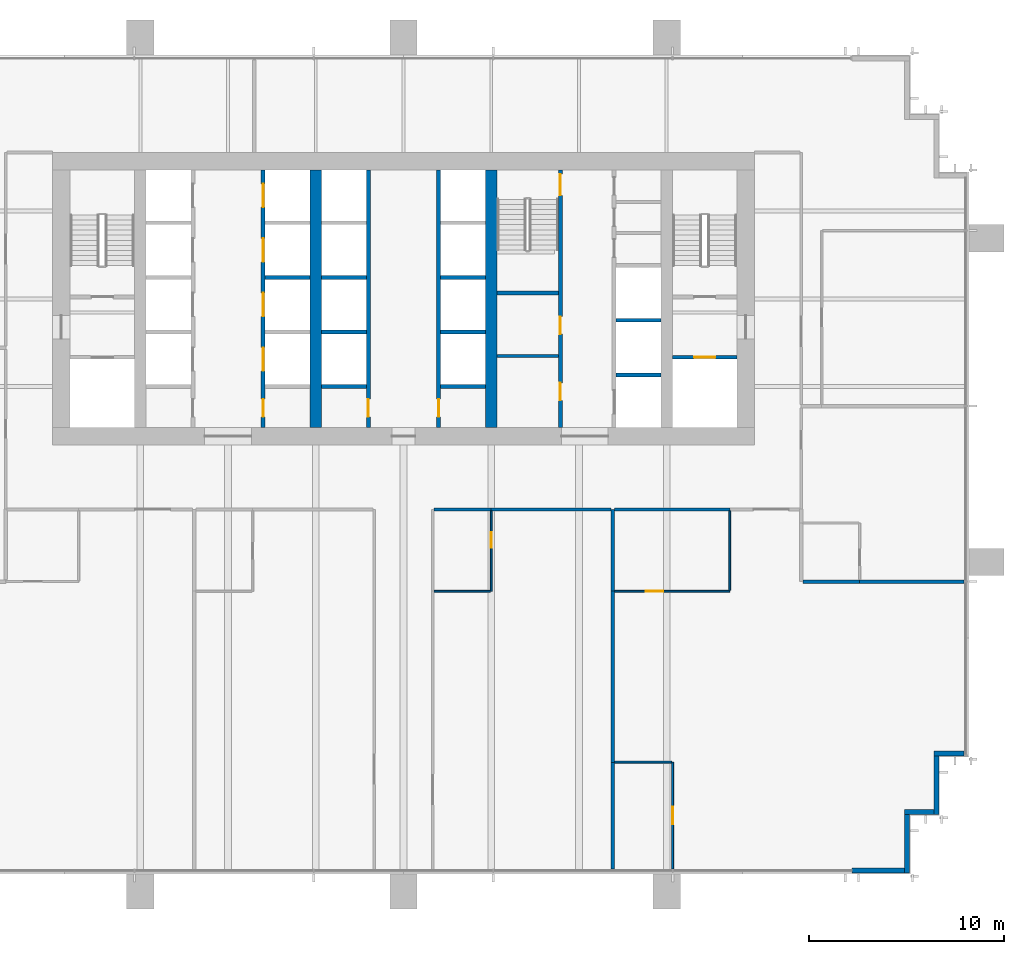
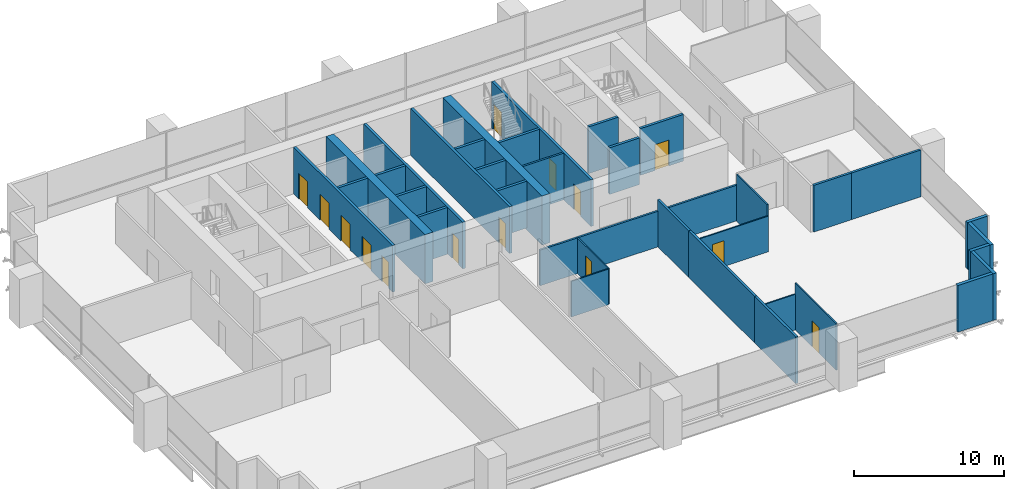
# One storey, part 11 of 14: 37 walls, 14 doors, 14 openings.
"""IFC4 building model written with IfcOpenShell, lengths in metres."""

import ifcopenshell
import ifcopenshell.guid

model = None  # the IFC model being written
_history = None  # IfcOwnerHistory: only IFC2X3 demands one
_inside = {}  # id of a spatial element -> (the spatial element, [elements in it])
_under = {}  # id of a project, library or spatial element -> (it, [spatial elements below it])
_declared = {}  # id of a project -> (the project, [libraries it declares])
_typed = {}  # id of a type object -> (the type object, [elements of that type])
_made_of = {}  # id of a material, layer set ... -> (it, [elements and type objects made of it])


def new_model(schema):
    """Start an empty IFC model of exactly this schema.

    Asked for "IFC4X3", IfcOpenShell would pick the latest addendum, in which some entities
    have other attributes; the version numbers below select the first issue.
    IFC2X3 requires an IfcOwnerHistory on every rooted entity: one is made here for all.
    """
    global model, _history
    if schema == "IFC4X3":
        model = ifcopenshell.file(schema_version=(4, 3, 0, 0))
    else:
        model = ifcopenshell.file(schema=schema)
    _inside.clear()
    _under.clear()
    _declared.clear()
    _typed.clear()
    _made_of.clear()
    _history = None
    if model.schema == "IFC2X3":
        org = make("IfcOrganization", Name="unknown")
        user = make(
            "IfcPersonAndOrganization",
            ThePerson=make("IfcPerson", FamilyName="unknown"),
            TheOrganization=org,
        )
        app = make(
            "IfcApplication",
            ApplicationDeveloper=org,
            Version="unknown",
            ApplicationFullName="unknown",
            ApplicationIdentifier="unknown",
        )
        _history = make(
            "IfcOwnerHistory",
            OwningUser=user,
            OwningApplication=app,
            ChangeAction="ADDED",
            CreationDate=0,
        )
    return model


def make(cls, **values):
    """One entity of the class cls with the attributes given. An attribute that is None is left unset."""
    return model.create_entity(
        cls, **{name: value for name, value in values.items() if value is not None}
    )


def rooted(cls, **values):
    """An entity with a GlobalId (a new one), such as an element, a storey or a relation."""
    return make(cls, GlobalId=ifcopenshell.guid.new(), OwnerHistory=_history, **values)


def si_unit(unit_type, name, prefix=None):
    """IfcSIUnit, for example si_unit("LENGTHUNIT", "METRE", prefix="MILLI")."""
    return make("IfcSIUnit", UnitType=unit_type, Prefix=prefix, Name=name)


def assignment(units):
    """IfcUnitAssignment: the units of a project."""
    return None if units is None else make("IfcUnitAssignment", Units=units)


def point(xyz):
    """IfcCartesianPoint."""
    return None if xyz is None else make("IfcCartesianPoint", Coordinates=xyz)


def direction(xyz):
    """IfcDirection."""
    return None if xyz is None else make("IfcDirection", DirectionRatios=xyz)


def frame(location, z_axis=None, x_axis=None):
    """IfcAxis2Placement3D, a coordinate frame: its origin and axes. An axis left out is left unset."""
    return make(
        "IfcAxis2Placement3D",
        Location=point(location),
        Axis=direction(z_axis),
        RefDirection=direction(x_axis),
    )


def frame_2d(location, x_axis=None):
    """IfcAxis2Placement2D, a coordinate frame in the plane: its origin and x axis."""
    return make(
        "IfcAxis2Placement2D", Location=point(location), RefDirection=direction(x_axis)
    )


def origin():
    """The frame at (0, 0, 0) with its axes left unset."""
    return frame((0.0, 0.0, 0.0))


def place(relative_to, where):
    """IfcLocalPlacement: puts the frame where relative to a parent placement (None: the world)."""
    return make(
        "IfcLocalPlacement", PlacementRelTo=relative_to, RelativePlacement=where
    )


def context(
    kind, dimensions, precision=None, world=None, true_north=None, identifier=None
):
    """IfcGeometricRepresentationContext, for example the 3D "Model" context."""
    return make(
        "IfcGeometricRepresentationContext",
        ContextIdentifier=identifier,
        ContextType=kind,
        CoordinateSpaceDimension=dimensions,
        Precision=precision,
        WorldCoordinateSystem=world,
        TrueNorth=true_north,
    )


def subcontext(parent, identifier, kind, view, scale=None):
    """IfcGeometricRepresentationSubContext, for example "Body" below "Model"."""
    return make(
        "IfcGeometricRepresentationSubContext",
        ContextIdentifier=identifier,
        ContextType=kind,
        ParentContext=parent,
        TargetScale=scale,
        TargetView=view,
    )


def project(units=None, contexts=None):
    """IfcProject with its units and contexts."""
    return rooted(
        "IfcProject",
        Name="project",
        RepresentationContexts=contexts,
        UnitsInContext=assignment(units),
    )


def spatial(cls, under=None, at=None, **own):
    """A site, building, storey or space (cls), placed at a placement, below another one or the project."""
    s = rooted(cls, ObjectPlacement=at, **own)
    if under is not None:
        _under.setdefault(under.id(), (under, []))[1].append(s)
    return s


def profile(cls, at=None, kind="AREA", **sizes):
    """A parametric profile (cls). Its sizes go by their IFC names, for example OverallWidth=200.0."""
    return make(cls, ProfileType=kind, Position=at, **sizes)


def rectangle(**sizes):
    """IfcRectangleProfileDef."""
    return profile("IfcRectangleProfileDef", **sizes)


def extrude(swept, where, along, depth):
    """IfcExtrudedAreaSolid: the profile swept, set in the frame where, extruded along a direction by depth."""
    return make(
        "IfcExtrudedAreaSolid",
        SweptArea=swept,
        Position=where,
        ExtrudedDirection=direction(along),
        Depth=depth,
    )


def shape(context_of_items, identifier, shape_type, items):
    """IfcShapeRepresentation: the items that make up one representation, for example the "Body"."""
    return make(
        "IfcShapeRepresentation",
        ContextOfItems=context_of_items,
        RepresentationIdentifier=identifier,
        RepresentationType=shape_type,
        Items=items,
    )


def material(Name=None, Category=None):
    """IfcMaterial."""
    return make("IfcMaterial", Name=Name, Category=Category)


def layer(
    of_material, thickness, ventilated=None, Name=None, Category=None, Priority=None
):
    """IfcMaterialLayer: one layer of a wall or slab, of a material (None: an air gap)."""
    return make(
        "IfcMaterialLayer",
        Material=of_material,
        LayerThickness=thickness,
        IsVentilated=ventilated,
        Name=Name,
        Category=Category,
        Priority=Priority,
    )


def layer_set(layers, Name=None):
    """IfcMaterialLayerSet."""
    return make("IfcMaterialLayerSet", MaterialLayers=layers, LayerSetName=Name)


def made_of(thing, what):
    """Note that an element or type object is made of a material, layer set ...; save() writes the relation."""
    if what is not None:
        _made_of.setdefault(what.id(), (what, []))[1].append(thing)
    return thing


def type_object(cls, material=None, **own):
    """A type object (cls), such as IfcWallType, which elements share."""
    return made_of(rooted(cls, **own), material)


def element(
    cls,
    number,
    at=None,
    inside=None,
    cuts=None,
    type_object=None,
    material=None,
    context=None,
    identifier="Body",
    shape_type=None,
    held_by="IfcProductDefinitionShape",
    body=None,
    shapes=None,
    **own,
):
    """One element of the class cls, such as IfcWall. Its Tag is "e" and its number.

    at: its placement. inside: the storey or other place that contains it. cuts: it is an
    opening in that element (IfcRelVoidsElement). A single representation is given by context,
    identifier, shape_type and body (its items); several are given by shapes. held_by: the class
    of the entity that holds the representations. save() writes the other relations.
    """
    e = rooted(cls, Tag="e%d" % number, ObjectPlacement=at, **own)
    if body is not None:
        shapes = [shape(context, identifier, shape_type, body)]
    if shapes is not None:
        e.Representation = make(held_by, Representations=shapes)
    if inside is not None:
        _inside.setdefault(inside.id(), (inside, []))[1].append(e)
    if cuts is not None:
        rooted(
            "IfcRelVoidsElement", RelatingBuildingElement=cuts, RelatedOpeningElement=e
        )
    if type_object is not None:
        _typed.setdefault(type_object.id(), (type_object, []))[1].append(e)
    return made_of(e, material)


def fill(opening, filler):
    """IfcRelFillsElement: the door or window that sits in an opening."""
    return rooted(
        "IfcRelFillsElement",
        RelatingOpeningElement=opening,
        RelatedBuildingElement=filler,
    )


def aggregate(whole, parts):
    """IfcRelAggregates: a whole, such as a stair, and the parts it consists of."""
    return rooted("IfcRelAggregates", RelatingObject=whole, RelatedObjects=parts)


def save(model, path):
    """Write the relations noted so far, then the file.

    IfcRelAggregates (storeys below a building ...), IfcRelContainedInSpatialStructure (elements
    in a storey), IfcRelDefinesByType, IfcRelAssociatesMaterial and IfcRelDeclares: one each for
    every whole, place, type object, material and project.
    """
    for whole, parts in _under.values():
        aggregate(whole, parts)
    for where, things in _inside.values():
        rooted(
            "IfcRelContainedInSpatialStructure",
            RelatedElements=things,
            RelatingStructure=where,
        )
    for kind, things in _typed.values():
        rooted("IfcRelDefinesByType", RelatedObjects=things, RelatingType=kind)
    for what, things in _made_of.values():
        rooted("IfcRelAssociatesMaterial", RelatedObjects=things, RelatingMaterial=what)
    for by, libraries in _declared.values():
        rooted("IfcRelDeclares", RelatingContext=by, RelatedDefinitions=libraries)
    model.write(path)


model = new_model("IFC4")

# Units and contexts
model_context = context("Model", 3, precision=1e-05, world=origin(), true_north=direction((0.0, 1.0)))
body_context = subcontext(model_context, "Body", "Model", "MODEL_VIEW")
ifc_project = project(units=[si_unit("LENGTHUNIT", "METRE"), si_unit("AREAUNIT", "SQUARE_METRE"), si_unit("VOLUMEUNIT", "CUBIC_METRE"), si_unit("PLANEANGLEUNIT", "RADIAN"), si_unit("MASSUNIT", "GRAM", prefix="KILO")], contexts=[model_context])

# Site, building, storey
site_placement = place(None, origin())
site = spatial("IfcSite", under=ifc_project, at=site_placement, CompositionType="ELEMENT")
building_placement = place(site_placement, origin())
building = spatial("IfcBuilding", under=site, at=building_placement, Name="Rattan Terrace Tower", CompositionType="ELEMENT")
storey_placement = place(building_placement, frame((0.0, 0.0, 154.10009765625)))
storey = spatial("IfcBuildingStorey", under=building, at=storey_placement, Name="L35", CompositionType="ELEMENT", Elevation=154.10009765625)

# Wall
ifc_material_1 = material(Name="Gypsum board partition")
ifc_layer_1 = layer(ifc_material_1, 0.14990234375)
ifc_layer_set_1 = layer_set([ifc_layer_1], Name="Core partition 150")
wall_type_1 = type_object("IfcWallType", Name="Core partition 150", PredefinedType="PARTITIONING", material=ifc_layer_set_1)
wall_1_placement = place(storey_placement, frame((4.800048828125, -2.927978515625, 0.0), z_axis=(0.0, 0.0, 1.0), x_axis=(1.0, 0.0, 0.0)))
element("IfcWall", 1, at=wall_1_placement, inside=storey, type_object=wall_type_1, Name="Toilet wall", PredefinedType="PARTITIONING", context=body_context, shape_type="SweptSolid", body=[
    extrude(rectangle(XDim=3.14990234375, YDim=0.14990234375, at=frame_2d((1.574951171875, 0.0))), origin(), (0.0, 0.0, 1.0), 3.7998046875),
])

# Wall, opening, door
ifc_material_2 = material(Name="Gypsum board partition")
ifc_layer_2 = layer(ifc_material_2, 0.199951171875)
ifc_layer_set_2 = layer_set([ifc_layer_2], Name="Core partition 200")
wall_type_2 = type_object("IfcWallType", Name="Core partition 200", PredefinedType="PARTITIONING", material=ifc_layer_set_2)
wall_2_placement = place(storey_placement, frame((13.800048828125, -3.0, 0.0), z_axis=(0.0, 0.0, 1.0), x_axis=(1.0, 0.0, 0.0)))
wall_2 = element("IfcWall", 2, at=wall_2_placement, inside=storey, type_object=wall_type_2, Name="Fire-fighting lobby wall", PredefinedType="PARTITIONING", context=body_context, shape_type="SweptSolid", body=[
    extrude(rectangle(XDim=3.300048828125, YDim=0.199951171875, at=frame_2d((1.64990234375, 0.0))), origin(), (0.0, 0.0, 1.0), 3.7998046875),
])
opening_1_placement = place(wall_2_placement, frame((1.10009765625, 0.0, 0.0)))
opening_1 = element("IfcOpeningElement", 3, at=opening_1_placement, cuts=wall_2, Name="Opening L35-LD-FF2", PredefinedType="OPENING", context=body_context, shape_type="SweptSolid", body=[
    extrude(rectangle(XDim=1.10009765625, YDim=2.10009765625, at=frame_2d((0.550048828125, 1.050048828125))), frame((0.0, 0.110595703125, 0.0), z_axis=(0.0, -1.0, 0.0), x_axis=(1.0, 0.0, 0.0)), (0.0, 0.0, 1.0), 0.220947265625),
])
ifc_material_3 = material(Name="Brushed stainless landing door panel")
door_type_1 = type_object("IfcDoorType", Name="Core lift landing door 1100", OperationType="DOUBLE_DOOR_SLIDING", PredefinedType="DOOR", material=ifc_material_3)
door_1_placement = place(opening_1_placement, origin())
door_1 = element("IfcDoor", 4, at=door_1_placement, inside=storey, type_object=door_type_1, Name="Door L35-LD-FF2", OperationType="DOUBLE_DOOR_SLIDING", OverallHeight=2.10009765625, OverallWidth=1.10009765625, PredefinedType="DOOR", context=body_context, shape_type="SweptSolid", body=[
    extrude(rectangle(XDim=1.10009765625, YDim=2.10009765625, at=frame_2d((0.550048828125, 1.050048828125))), frame((0.0, 0.02490234375, 0.0), z_axis=(0.0, -1.0, 0.0), x_axis=(1.0, 0.0, 0.0)), (0.0, 0.0, 1.0), 0.050048828125),
])
fill(opening_1, door_1)

# Wall, openings, doors
wall_3_placement = place(storey_placement, frame((8.050048828125, -6.60009765625, 0.0), z_axis=(0.0, 0.0, 1.0), x_axis=(0.0, 1.0, 0.0)))
wall_3 = element("IfcWall", 5, at=wall_3_placement, inside=storey, type_object=wall_type_2, Name="Lobby wall west", PredefinedType="PARTITIONING", context=body_context, shape_type="SweptSolid", body=[
    extrude(rectangle(XDim=13.2001953125, YDim=0.199951171875, at=frame_2d((6.60009765625, 0.0))), origin(), (0.0, 0.0, 1.0), 3.7998046875),
])
opening_2_placement = place(wall_3_placement, frame((1.385986328125, 0.0, 0.0)))
opening_2 = element("IfcOpeningElement", 6, at=opening_2_placement, cuts=wall_3, Name="Opening L35-D011", PredefinedType="OPENING", context=body_context, shape_type="SweptSolid", body=[
    extrude(rectangle(XDim=0.89990234375, YDim=2.10009765625, at=frame_2d((0.449951171875, 1.050048828125))), frame((0.0, 0.110595703125, 0.0), z_axis=(0.0, -1.0, 0.0), x_axis=(1.0, 0.0, 0.0)), (0.0, 0.0, 1.0), 0.220947265625),
])
opening_3_placement = place(wall_3_placement, frame((4.785888671875, 0.0, 0.0)))
opening_3 = element("IfcOpeningElement", 7, at=opening_3_placement, cuts=wall_3, Name="Opening L35-D012", PredefinedType="OPENING", context=body_context, shape_type="SweptSolid", body=[
    extrude(rectangle(XDim=0.89990234375, YDim=2.10009765625, at=frame_2d((0.449951171875, 1.050048828125))), frame((0.0, 0.110595703125, 0.0), z_axis=(0.0, -1.0, 0.0), x_axis=(1.0, 0.0, 0.0)), (0.0, 0.0, 1.0), 0.220947265625),
])
opening_4_placement = place(wall_3_placement, frame((11.89990234375, 0.0, 0.0)))
opening_4 = element("IfcOpeningElement", 8, at=opening_4_placement, cuts=wall_3, Name="Opening L35-D013", PredefinedType="OPENING", context=body_context, shape_type="SweptSolid", body=[
    extrude(rectangle(XDim=1.10009765625, YDim=2.10009765625, at=frame_2d((0.550048828125, 1.050048828125))), frame((0.0, 0.110595703125, 0.0), z_axis=(0.0, -1.0, 0.0), x_axis=(1.0, 0.0, 0.0)), (0.0, 0.0, 1.0), 0.220947265625),
])
ifc_material_4 = material(Name="Hollow-metal fire door leaf")
door_type_2 = type_object("IfcDoorType", Name="Core stair door 1100", OperationType="NOTDEFINED", PredefinedType="DOOR", material=ifc_material_4)
door_2_placement = place(opening_4_placement, origin())
door_2 = element("IfcDoor", 9, at=door_2_placement, inside=storey, type_object=door_type_2, Name="Door L35-D013", OperationType="SINGLE_SWING_LEFT", OverallHeight=2.10009765625, OverallWidth=1.10009765625, PredefinedType="DOOR", context=body_context, shape_type="SweptSolid", body=[
    extrude(rectangle(XDim=1.10009765625, YDim=2.10009765625, at=frame_2d((0.550048828125, 1.050048828125))), frame((0.0, 0.02490234375, 0.0), z_axis=(0.0, -1.0, 0.0), x_axis=(1.0, 0.0, 0.0)), (0.0, 0.0, 1.0), 0.050048828125),
])
fill(opening_4, door_2)
ifc_material_5 = material(Name="Hollow-metal fire door leaf")
door_type_3 = type_object("IfcDoorType", Name="Core toilet door 900", OperationType="NOTDEFINED", PredefinedType="DOOR", material=ifc_material_5)
door_3_placement = place(opening_2_placement, origin())
door_3 = element("IfcDoor", 10, at=door_3_placement, inside=storey, type_object=door_type_3, Name="Door L35-D011", OperationType="SINGLE_SWING_LEFT", OverallHeight=2.10009765625, OverallWidth=0.89990234375, PredefinedType="DOOR", context=body_context, shape_type="SweptSolid", body=[
    extrude(rectangle(XDim=0.89990234375, YDim=2.10009765625, at=frame_2d((0.449951171875, 1.050048828125))), frame((0.0, 0.02490234375, 0.0), z_axis=(0.0, -1.0, 0.0), x_axis=(1.0, 0.0, 0.0)), (0.0, 0.0, 1.0), 0.050048828125),
])
fill(opening_2, door_3)
door_4_placement = place(opening_3_placement, origin())
door_4 = element("IfcDoor", 11, at=door_4_placement, inside=storey, type_object=door_type_3, Name="Door L35-D012", OperationType="SINGLE_SWING_RIGHT", OverallHeight=2.10009765625, OverallWidth=0.89990234375, PredefinedType="DOOR", context=body_context, shape_type="SweptSolid", body=[
    extrude(rectangle(XDim=0.89990234375, YDim=2.10009765625, at=frame_2d((0.449951171875, 1.050048828125))), frame((0.0, 0.02490234375, 0.0), z_axis=(0.0, -1.0, 0.0), x_axis=(1.0, 0.0, 0.0)), (0.0, 0.0, 1.0), 0.050048828125),
])
fill(opening_3, door_4)

# Walls
wall_4_placement = place(storey_placement, frame((4.800048828125, 0.300048828125, 0.0), z_axis=(0.0, 0.0, 1.0), x_axis=(1.0, 0.0, 0.0)))
element("IfcWall", 12, at=wall_4_placement, inside=storey, type_object=wall_type_2, Name="Stair enclosure wall", PredefinedType="PARTITIONING", context=body_context, shape_type="SweptSolid", body=[
    extrude(rectangle(XDim=3.14990234375, YDim=0.199951171875, at=frame_2d((1.574951171875, 0.0))), origin(), (0.0, 0.0, 1.0), 3.7998046875),
])
ifc_material_6 = material(Name="Concrete C60/75", Category="concrete")
ifc_layer_3 = layer(ifc_material_6, 0.60009765625)
ifc_layer_set_3 = layer_set([ifc_layer_3], Name="Core spine wall 600 C60/75")
wall_type_3 = type_object("IfcWallType", Name="Core spine wall 600 C60/75", PredefinedType="SHEAR", material=ifc_layer_set_3)
for number, where, z_axis, x_axis, name in (
    (13, (-4.5, -6.60009765625, -0.2001953125), (0.0, 0.0, 1.0), (0.0, 1.0, 0.0), "Core spine wall 2"),
    (14, (4.5, -6.60009765625, -0.2001953125), (0.0, 0.0, 1.0), (0.0, 1.0, 0.0), "Core spine wall 3"),
):
    element("IfcWall", number, at=place(storey_placement, frame(where, z_axis=z_axis, x_axis=x_axis)), inside=storey, type_object=wall_type_3, Name=name, PredefinedType="SHEAR", context=body_context, shape_type="SweptSolid", body=[
        extrude(rectangle(XDim=13.2001953125, YDim=0.60009765625, at=frame_2d((6.60009765625, 0.0))), origin(), (0.0, 0.0, 1.0), 4.0),
    ])
ifc_material_7 = material(Name="Insulated aluminium-clad stud wall", Category="aluminium")
ifc_layer_4 = layer(ifc_material_7, 0.25)
ifc_layer_set_4 = layer_set([ifc_layer_4], Name="Facade Riser Wall 250")
wall_type_4 = type_object("IfcWallType", Name="Facade Riser Wall 250", PredefinedType="SOLIDWALL", material=ifc_layer_set_4)
wall_5_placement = place(storey_placement, frame((23.0, -29.330078125, 0.0), z_axis=(0.0, 0.0, 1.0), x_axis=(1.0, 0.0, 0.0)))
element("IfcWall", 15, at=wall_5_placement, inside=storey, type_object=wall_type_4, Name="Riser wall L35-1", PredefinedType="SOLIDWALL", context=body_context, shape_type="SweptSolid", body=[
    extrude(rectangle(XDim=2.705078125, YDim=0.25, at=frame_2d((1.3525390625, 0.0))), origin(), (0.0, 0.0, 1.0), 3.7998046875),
])
wall_6_placement = place(storey_placement, frame((25.830078125, -29.455078125, 0.0), z_axis=(0.0, 0.0, 1.0), x_axis=(0.0, 1.0, 0.0)))
element("IfcWall", 16, at=wall_6_placement, inside=storey, type_object=wall_type_4, Name="Riser wall L35-2", PredefinedType="SOLIDWALL", context=body_context, shape_type="SweptSolid", body=[
    extrude(rectangle(XDim=3.0, YDim=0.25, at=frame_2d((1.5, 0.0))), origin(), (0.0, 0.0, 1.0), 3.7998046875),
])
wall_7_placement = place(storey_placement, frame((25.705078125, -26.330078125, 0.0), z_axis=(0.0, 0.0, 1.0), x_axis=(1.0, 0.0, 0.0)))
element("IfcWall", 17, at=wall_7_placement, inside=storey, type_object=wall_type_4, Name="Riser wall L35-3", PredefinedType="SOLIDWALL", context=body_context, shape_type="SweptSolid", body=[
    extrude(rectangle(XDim=1.5, YDim=0.25, at=frame_2d((0.75, 0.0))), origin(), (0.0, 0.0, 1.0), 3.7998046875),
])
wall_8_placement = place(storey_placement, frame((27.330078125, -26.455078125, 0.0), z_axis=(0.0, 0.0, 1.0), x_axis=(0.0, 1.0, 0.0)))
element("IfcWall", 18, at=wall_8_placement, inside=storey, type_object=wall_type_4, Name="Riser wall L35-4", PredefinedType="SOLIDWALL", context=body_context, shape_type="SweptSolid", body=[
    extrude(rectangle(XDim=3.0, YDim=0.25, at=frame_2d((1.5, 0.0))), origin(), (0.0, 0.0, 1.0), 3.7998046875),
])
wall_9_placement = place(storey_placement, frame((27.205078125, -23.330078125, 0.0), z_axis=(0.0, 0.0, 1.0), x_axis=(1.0, 0.0, 0.0)))
element("IfcWall", 19, at=wall_9_placement, inside=storey, type_object=wall_type_4, Name="Riser wall L35-5", PredefinedType="SOLIDWALL", context=body_context, shape_type="SweptSolid", body=[
    extrude(rectangle(XDim=1.544921875, YDim=0.25, at=frame_2d((0.7724609375, 0.0))), origin(), (0.0, 0.0, 1.0), 3.7998046875),
])
ifc_material_8 = material(Name="Double steel stud acoustic partition, gypsum board, mineral wool, fire rated", Category="steel")
ifc_layer_5 = layer(ifc_material_8, 0.179931640625)
ifc_layer_set_5 = layer_set([ifc_layer_5], Name="Floors Acoustic Party Wall 180")
wall_type_5 = type_object("IfcWallType", Name="Floors Acoustic Party Wall 180", PredefinedType="PARTITIONING", material=ifc_layer_set_5)
wall_10_placement = place(storey_placement, frame((28.739990234375, -14.5, 0.0), z_axis=(0.0, 0.0, 1.0), x_axis=(-1.0, 0.0, 0.0)))
element("IfcWall", 20, at=wall_10_placement, inside=storey, type_object=wall_type_5, Name="pt-L35-027", PredefinedType="PARTITIONING", context=body_context, shape_type="SweptSolid", body=[
    extrude(rectangle(XDim=5.340087890625, YDim=0.179931640625, at=frame_2d((2.669921875, 0.0))), origin(), (0.0, 0.0, 1.0), 3.7998046875),
])
wall_11_placement = place(storey_placement, frame((23.39990234375, -14.5009765625, 0.0), z_axis=(0.0, 0.0, 1.0), x_axis=(-1.0, 0.0, 0.0)))
element("IfcWall", 21, at=wall_11_placement, inside=storey, type_object=wall_type_5, Name="pt-L35-029", PredefinedType="PARTITIONING", context=body_context, shape_type="SweptSolid", body=[
    extrude(rectangle(XDim=2.909912109375, YDim=0.179931640625, at=frame_2d((1.455078125, 0.0))), origin(), (0.0, 0.0, 1.0), 3.7998046875),
])
wall_12_placement = place(storey_placement, frame((10.73291015625, -14.97998046875, 0.0), z_axis=(0.0, 0.0, 1.0), x_axis=(0.0, -1.0, 0.0)))
element("IfcWall", 22, at=wall_12_placement, inside=storey, type_object=wall_type_5, Name="pt-L35-034", PredefinedType="PARTITIONING", context=body_context, shape_type="SweptSolid", body=[
    extrude(rectangle(XDim=8.800048828125, YDim=0.179931640625, at=frame_2d((4.39990234375, 0.0))), origin(), (0.0, 0.0, 1.0), 3.7998046875),
])
wall_13_placement = place(storey_placement, frame((10.73291015625, -23.780029296875, 0.0), z_axis=(0.0, 0.0, 1.0), x_axis=(0.0, -1.0, 0.0)))
element("IfcWall", 23, at=wall_13_placement, inside=storey, type_object=wall_type_5, Name="pt-L35-035", PredefinedType="PARTITIONING", context=body_context, shape_type="SweptSolid", body=[
    extrude(rectangle(XDim=5.4599609375, YDim=0.179931640625, at=frame_2d((2.72998046875, 0.0))), origin(), (0.0, 0.0, 1.0), 3.7998046875),
])
wall_14_placement = place(storey_placement, frame((10.73291015625, -10.800048828125, 0.0), z_axis=(0.0, 0.0, 1.0), x_axis=(0.0, -1.0, 0.0)))
element("IfcWall", 24, at=wall_14_placement, inside=storey, type_object=wall_type_5, Name="pt-L35-036", PredefinedType="PARTITIONING", context=body_context, shape_type="SweptSolid", body=[
    extrude(rectangle(XDim=4.179931640625, YDim=0.179931640625, at=frame_2d((2.08984375, 0.0))), origin(), (0.0, 0.0, 1.0), 3.7998046875),
])
ifc_material_9 = material(Name="Gypsum board partition on steel studs", Category="steel")
ifc_layer_6 = layer(ifc_material_9, 0.10009765625)
ifc_layer_set_6 = layer_set([ifc_layer_6], Name="Floors Partition 100")
wall_type_6 = type_object("IfcWallType", Name="Floors Partition 100", PredefinedType="PARTITIONING", material=ifc_layer_set_6)
wall_15_placement = place(storey_placement, frame((1.574951171875, -15.0, 0.0), z_axis=(0.0, 0.0, 1.0), x_axis=(1.0, 0.0, 0.0)))
element("IfcWall", 25, at=wall_15_placement, inside=storey, type_object=wall_type_6, Name="pt-L35-032", PredefinedType="PARTITIONING", context=body_context, shape_type="SweptSolid", body=[
    extrude(rectangle(XDim=2.875, YDim=0.10009765625, at=frame_2d((1.4375, 0.0))), origin(), (0.0, 0.0, 1.0), 2.89990234375),
])

# Wall, opening, door
wall_16_placement = place(storey_placement, frame((4.5, -15.0, 0.0), z_axis=(0.0, 0.0, 1.0), x_axis=(0.0, 1.0, 0.0)))
wall_16 = element("IfcWall", 26, at=wall_16_placement, inside=storey, type_object=wall_type_6, Name="pt-L35-033", PredefinedType="PARTITIONING", context=body_context, shape_type="SweptSolid", body=[
    extrude(rectangle(XDim=4.125, YDim=0.10009765625, at=frame_2d((2.0625, 0.0))), origin(), (0.0, 0.0, 1.0), 2.89990234375),
])
opening_5_placement = place(wall_16_placement, frame((2.22802734375, 0.0, 0.0)))
opening_5 = element("IfcOpeningElement", 27, at=opening_5_placement, cuts=wall_16, Name="Opening L35-D107", PredefinedType="OPENING", context=body_context, shape_type="SweptSolid", body=[
    extrude(rectangle(XDim=0.800048828125, YDim=2.10009765625, at=frame_2d((0.39990234375, 1.050048828125))), frame((0.0, 0.060546875, 0.0), z_axis=(0.0, -1.0, 0.0), x_axis=(1.0, 0.0, 0.0)), (0.0, 0.0, 1.0), 0.12109375),
])
ifc_material_10 = material(Name="Solid core timber door, painted", Category="wood")
door_type_4 = type_object("IfcDoorType", Name="Floors Store Door 800x2100", OperationType="NOTDEFINED", PredefinedType="DOOR", material=ifc_material_10)
door_5_placement = place(opening_5_placement, origin())
door_5 = element("IfcDoor", 28, at=door_5_placement, inside=storey, type_object=door_type_4, Name="d-L35-107", OperationType="SINGLE_SWING_RIGHT", OverallHeight=2.10009765625, OverallWidth=0.800048828125, PredefinedType="DOOR", context=body_context, shape_type="SweptSolid", body=[
    extrude(rectangle(XDim=0.800048828125, YDim=2.10009765625, at=frame_2d((0.39990234375, 1.050048828125))), frame((0.0, 0.02490234375, 0.0), z_axis=(0.0, -1.0, 0.0), x_axis=(1.0, 0.0, 0.0)), (0.0, 0.0, 1.0), 0.050048828125),
])
fill(opening_5, door_5)

# Wall
wall_17_placement = place(storey_placement, frame((13.75, -23.760009765625, 0.0), z_axis=(0.0, 0.0, 1.0), x_axis=(-1.0, 0.0, 0.0)))
element("IfcWall", 29, at=wall_17_placement, inside=storey, type_object=wall_type_6, Name="pt-L35-037", PredefinedType="PARTITIONING", context=body_context, shape_type="SweptSolid", body=[
    extrude(rectangle(XDim=2.927001953125, YDim=0.10009765625, at=frame_2d((1.46337890625, 0.0))), origin(), (0.0, 0.0, 1.0), 2.89990234375),
])

# Wall, opening, door
wall_18_placement = place(storey_placement, frame((13.800048828125, -29.239990234375, 0.0), z_axis=(0.0, 0.0, 1.0), x_axis=(0.0, 1.0, 0.0)))
wall_18 = element("IfcWall", 30, at=wall_18_placement, inside=storey, type_object=wall_type_6, Name="pt-L35-038", PredefinedType="PARTITIONING", context=body_context, shape_type="SweptSolid", body=[
    extrude(rectangle(XDim=5.47998046875, YDim=0.10009765625, at=frame_2d((2.739990234375, 0.0))), origin(), (0.0, 0.0, 1.0), 3.7998046875),
])
opening_6_placement = place(wall_18_placement, frame((2.2900390625, 0.0, 0.0)))
opening_6 = element("IfcOpeningElement", 31, at=opening_6_placement, cuts=wall_18, Name="Opening L35-D109", PredefinedType="OPENING", context=body_context, shape_type="SweptSolid", body=[
    extrude(rectangle(XDim=0.89990234375, YDim=2.10009765625, at=frame_2d((0.449951171875, 1.050048828125))), frame((0.0, 0.060546875, 0.0), z_axis=(0.0, -1.0, 0.0), x_axis=(1.0, 0.0, 0.0)), (0.0, 0.0, 1.0), 0.12109375),
])
ifc_material_11 = material(Name="Solid core timber door, painted", Category="wood")
door_type_5 = type_object("IfcDoorType", Name="Floors Door 900x2100", OperationType="NOTDEFINED", PredefinedType="DOOR", material=ifc_material_11)
door_6_placement = place(opening_6_placement, origin())
door_6 = element("IfcDoor", 32, at=door_6_placement, inside=storey, type_object=door_type_5, Name="d-L35-109", OperationType="SINGLE_SWING_RIGHT", OverallHeight=2.10009765625, OverallWidth=0.89990234375, PredefinedType="DOOR", context=body_context, shape_type="SweptSolid", body=[
    extrude(rectangle(XDim=0.89990234375, YDim=2.10009765625, at=frame_2d((0.449951171875, 1.050048828125))), frame((0.0, 0.02490234375, 0.0), z_axis=(0.0, -1.0, 0.0), x_axis=(1.0, 0.0, 0.0)), (0.0, 0.0, 1.0), 0.050048828125),
])
fill(opening_6, door_6)

wall_19_placement = place(storey_placement, frame((10.822998046875, -15.0, 0.0), z_axis=(0.0, 0.0, 1.0), x_axis=(1.0, 0.0, 0.0)))
wall_19 = element("IfcWall", 33, at=wall_19_placement, inside=storey, type_object=wall_type_6, Name="pt-L35-039", PredefinedType="PARTITIONING", context=body_context, shape_type="SweptSolid", body=[
    extrude(rectangle(XDim=5.909912109375, YDim=0.10009765625, at=frame_2d((2.955078125, 0.0))), origin(), (0.0, 0.0, 1.0), 2.89990234375),
])
opening_7_placement = place(wall_19_placement, frame((1.60302734375, 0.0, 0.0)))
opening_7 = element("IfcOpeningElement", 34, at=opening_7_placement, cuts=wall_19, Name="Opening L35-D110", PredefinedType="OPENING", context=body_context, shape_type="SweptSolid", body=[
    extrude(rectangle(XDim=0.89990234375, YDim=2.10009765625, at=frame_2d((0.449951171875, 1.050048828125))), frame((0.0, 0.060546875, 0.0), z_axis=(0.0, -1.0, 0.0), x_axis=(1.0, 0.0, 0.0)), (0.0, 0.0, 1.0), 0.12109375),
])
door_7_placement = place(opening_7_placement, origin())
door_7 = element("IfcDoor", 35, at=door_7_placement, inside=storey, type_object=door_type_5, Name="d-L35-110", OperationType="SINGLE_SWING_LEFT", OverallHeight=2.10009765625, OverallWidth=0.89990234375, PredefinedType="DOOR", context=body_context, shape_type="SweptSolid", body=[
    extrude(rectangle(XDim=0.89990234375, YDim=2.10009765625, at=frame_2d((0.449951171875, 1.050048828125))), frame((0.0, 0.02490234375, 0.0), z_axis=(0.0, -1.0, 0.0), x_axis=(1.0, 0.0, 0.0)), (0.0, 0.0, 1.0), 0.050048828125),
])
fill(opening_7, door_7)

# Walls
wall_20_placement = place(storey_placement, frame((16.73291015625, -14.949951171875, 0.0), z_axis=(0.0, 0.0, 1.0), x_axis=(0.0, 1.0, 0.0)))
element("IfcWall", 36, at=wall_20_placement, inside=storey, type_object=wall_type_6, Name="pt-L35-040", PredefinedType="PARTITIONING", context=body_context, shape_type="SweptSolid", body=[
    extrude(rectangle(XDim=4.074951171875, YDim=0.10009765625, at=frame_2d((2.03759765625, 0.0))), origin(), (0.0, 0.0, 1.0), 3.7998046875),
])
ifc_material_12 = material(Name="Gypsum board partition on steel studs, fire rated", Category="steel")
ifc_layer_7 = layer(ifc_material_12, 0.14990234375)
ifc_layer_set_7 = layer_set([ifc_layer_7], Name="Floors Tenancy Wall 150")
wall_type_7 = type_object("IfcWallType", Name="Floors Tenancy Wall 150", PredefinedType="PARTITIONING", material=ifc_layer_set_7)
wall_21_placement = place(storey_placement, frame((10.64306640625, -10.800048828125, 0.0), z_axis=(0.0, 0.0, 1.0), x_axis=(-1.0, 0.0, 0.0)))
element("IfcWall", 37, at=wall_21_placement, inside=storey, type_object=wall_type_7, Name="pt-L35-008", PredefinedType="PARTITIONING", context=body_context, shape_type="SweptSolid", body=[
    extrude(rectangle(XDim=6.1630859375, YDim=0.14990234375, at=frame_2d((3.08154296875, 0.0))), origin(), (0.0, 0.0, 1.0), 2.89990234375),
])
wall_22_placement = place(storey_placement, frame((4.47998046875, -10.800048828125, 0.0), z_axis=(0.0, 0.0, 1.0), x_axis=(-1.0, 0.0, 0.0)))
element("IfcWall", 38, at=wall_22_placement, inside=storey, type_object=wall_type_7, Name="pt-L35-010", PredefinedType="PARTITIONING", context=body_context, shape_type="SweptSolid", body=[
    extrude(rectangle(XDim=2.905029296875, YDim=0.14990234375, at=frame_2d((1.45263671875, 0.0))), origin(), (0.0, 0.0, 1.0), 2.89990234375),
])
wall_23_placement = place(storey_placement, frame((16.7529296875, -10.800048828125, 0.0), z_axis=(0.0, 0.0, 1.0), x_axis=(-1.0, 0.0, 0.0)))
element("IfcWall", 39, at=wall_23_placement, inside=storey, type_object=wall_type_7, Name="pt-L35-012", PredefinedType="PARTITIONING", context=body_context, shape_type="SweptSolid", body=[
    extrude(rectangle(XDim=5.929931640625, YDim=0.14990234375, at=frame_2d((2.96484375, 0.0))), origin(), (0.0, 0.0, 1.0), 2.89990234375),
])

# Wall, openings, doors
ifc_material_13 = material(Name="Gypsum shaft wall system")
ifc_layer_8 = layer(ifc_material_13, 0.199951171875)
ifc_layer_set_8 = layer_set([ifc_layer_8], Name="Lift shaft wall 200")
wall_type_8 = type_object("IfcWallType", Name="Lift shaft wall 200", PredefinedType="PARTITIONING", material=ifc_layer_set_8)
wall_24_placement = place(storey_placement, frame((-7.199951171875, -6.60009765625, 0.0), z_axis=(0.0, 0.0, 1.0), x_axis=(0.0, 1.0, 0.0)))
wall_24 = element("IfcWall", 40, at=wall_24_placement, inside=storey, type_object=wall_type_8, Name="Lift shaft front wall", PredefinedType="PARTITIONING", context=body_context, shape_type="SweptSolid", body=[
    extrude(rectangle(XDim=13.2001953125, YDim=0.199951171875, at=frame_2d((6.60009765625, 0.0))), origin(), (0.0, 0.0, 1.0), 3.7998046875),
])
opening_8_placement = place(wall_24_placement, frame((0.550048828125, 0.0, 0.0)))
opening_8 = element("IfcOpeningElement", 41, at=opening_8_placement, cuts=wall_24, Name="Opening L35-D006", PredefinedType="OPENING", context=body_context, shape_type="SweptSolid", body=[
    extrude(rectangle(XDim=0.89990234375, YDim=2.10009765625, at=frame_2d((0.449951171875, 1.050048828125))), frame((0.0, 0.110595703125, 0.0), z_axis=(0.0, -1.0, 0.0), x_axis=(1.0, 0.0, 0.0)), (0.0, 0.0, 1.0), 0.220947265625),
])
opening_9_placement = place(wall_24_placement, frame((2.89990234375, 0.0, 0.0)))
opening_9 = element("IfcOpeningElement", 42, at=opening_9_placement, cuts=wall_24, Name="Opening L35-LD-LR5", PredefinedType="OPENING", context=body_context, shape_type="SweptSolid", body=[
    extrude(rectangle(XDim=1.199951171875, YDim=2.10009765625, at=frame_2d((0.60009765625, 1.050048828125))), frame((0.0, 0.110595703125, 0.0), z_axis=(0.0, -1.0, 0.0), x_axis=(1.0, 0.0, 0.0)), (0.0, 0.0, 1.0), 0.220947265625),
])
opening_10_placement = place(wall_24_placement, frame((5.699951171875, 0.0, 0.0)))
opening_10 = element("IfcOpeningElement", 43, at=opening_10_placement, cuts=wall_24, Name="Opening L35-LD-LR6", PredefinedType="OPENING", context=body_context, shape_type="SweptSolid", body=[
    extrude(rectangle(XDim=1.199951171875, YDim=2.10009765625, at=frame_2d((0.60009765625, 1.050048828125))), frame((0.0, 0.110595703125, 0.0), z_axis=(0.0, -1.0, 0.0), x_axis=(1.0, 0.0, 0.0)), (0.0, 0.0, 1.0), 0.220947265625),
])
opening_11_placement = place(wall_24_placement, frame((8.5, 0.0, 0.0)))
opening_11 = element("IfcOpeningElement", 44, at=opening_11_placement, cuts=wall_24, Name="Opening L35-LD-LR7", PredefinedType="OPENING", context=body_context, shape_type="SweptSolid", body=[
    extrude(rectangle(XDim=1.199951171875, YDim=2.10009765625, at=frame_2d((0.60009765625, 1.050048828125))), frame((0.0, 0.110595703125, 0.0), z_axis=(0.0, -1.0, 0.0), x_axis=(1.0, 0.0, 0.0)), (0.0, 0.0, 1.0), 0.220947265625),
])
opening_12_placement = place(wall_24_placement, frame((11.300048828125, 0.0, 0.0)))
opening_12 = element("IfcOpeningElement", 45, at=opening_12_placement, cuts=wall_24, Name="Opening L35-LD-LR8", PredefinedType="OPENING", context=body_context, shape_type="SweptSolid", body=[
    extrude(rectangle(XDim=1.199951171875, YDim=2.10009765625, at=frame_2d((0.60009765625, 1.050048828125))), frame((0.0, 0.110595703125, 0.0), z_axis=(0.0, -1.0, 0.0), x_axis=(1.0, 0.0, 0.0)), (0.0, 0.0, 1.0), 0.220947265625),
])
ifc_material_14 = material(Name="Brushed stainless landing door panel")
door_type_6 = type_object("IfcDoorType", Name="Core lift landing door 1200", OperationType="DOUBLE_DOOR_SLIDING", PredefinedType="DOOR", material=ifc_material_14)
door_8_placement = place(opening_9_placement, origin())
door_8 = element("IfcDoor", 46, at=door_8_placement, inside=storey, type_object=door_type_6, Name="Door L35-LD-LR5", OperationType="DOUBLE_DOOR_SLIDING", OverallHeight=2.10009765625, OverallWidth=1.199951171875, PredefinedType="DOOR", context=body_context, shape_type="SweptSolid", body=[
    extrude(rectangle(XDim=1.199951171875, YDim=2.10009765625, at=frame_2d((0.60009765625, 1.050048828125))), frame((0.0, 0.02490234375, 0.0), z_axis=(0.0, -1.0, 0.0), x_axis=(1.0, 0.0, 0.0)), (0.0, 0.0, 1.0), 0.050048828125),
])
fill(opening_9, door_8)
door_9_placement = place(opening_10_placement, origin())
door_9 = element("IfcDoor", 47, at=door_9_placement, inside=storey, type_object=door_type_6, Name="Door L35-LD-LR6", OperationType="DOUBLE_DOOR_SLIDING", OverallHeight=2.10009765625, OverallWidth=1.199951171875, PredefinedType="DOOR", context=body_context, shape_type="SweptSolid", body=[
    extrude(rectangle(XDim=1.199951171875, YDim=2.10009765625, at=frame_2d((0.60009765625, 1.050048828125))), frame((0.0, 0.02490234375, 0.0), z_axis=(0.0, -1.0, 0.0), x_axis=(1.0, 0.0, 0.0)), (0.0, 0.0, 1.0), 0.050048828125),
])
fill(opening_10, door_9)
door_10_placement = place(opening_11_placement, origin())
door_10 = element("IfcDoor", 48, at=door_10_placement, inside=storey, type_object=door_type_6, Name="Door L35-LD-LR7", OperationType="DOUBLE_DOOR_SLIDING", OverallHeight=2.10009765625, OverallWidth=1.199951171875, PredefinedType="DOOR", context=body_context, shape_type="SweptSolid", body=[
    extrude(rectangle(XDim=1.199951171875, YDim=2.10009765625, at=frame_2d((0.60009765625, 1.050048828125))), frame((0.0, 0.02490234375, 0.0), z_axis=(0.0, -1.0, 0.0), x_axis=(1.0, 0.0, 0.0)), (0.0, 0.0, 1.0), 0.050048828125),
])
fill(opening_11, door_10)
door_11_placement = place(opening_12_placement, origin())
door_11 = element("IfcDoor", 49, at=door_11_placement, inside=storey, type_object=door_type_6, Name="Door L35-LD-LR8", OperationType="DOUBLE_DOOR_SLIDING", OverallHeight=2.10009765625, OverallWidth=1.199951171875, PredefinedType="DOOR", context=body_context, shape_type="SweptSolid", body=[
    extrude(rectangle(XDim=1.199951171875, YDim=2.10009765625, at=frame_2d((0.60009765625, 1.050048828125))), frame((0.0, 0.02490234375, 0.0), z_axis=(0.0, -1.0, 0.0), x_axis=(1.0, 0.0, 0.0)), (0.0, 0.0, 1.0), 0.050048828125),
])
fill(opening_12, door_11)
ifc_material_15 = material(Name="Hollow-metal fire door leaf")
door_type_7 = type_object("IfcDoorType", Name="Core riser door 900", OperationType="NOTDEFINED", PredefinedType="DOOR", material=ifc_material_15)
door_12_placement = place(opening_8_placement, origin())
door_12 = element("IfcDoor", 50, at=door_12_placement, inside=storey, type_object=door_type_7, Name="Door L35-D006", OperationType="SINGLE_SWING_LEFT", OverallHeight=2.10009765625, OverallWidth=0.89990234375, PredefinedType="DOOR", context=body_context, shape_type="SweptSolid", body=[
    extrude(rectangle(XDim=0.89990234375, YDim=2.10009765625, at=frame_2d((0.449951171875, 1.050048828125))), frame((0.0, 0.02490234375, 0.0), z_axis=(0.0, -1.0, 0.0), x_axis=(1.0, 0.0, 0.0)), (0.0, 0.0, 1.0), 0.050048828125),
])
fill(opening_8, door_12)

# Wall
wall_25_placement = place(storey_placement, frame((-7.10009765625, 1.10009765625, 0.0), z_axis=(0.0, 0.0, 1.0), x_axis=(1.0, 0.0, 0.0)))
element("IfcWall", 51, at=wall_25_placement, inside=storey, type_object=wall_type_8, Name="Lift shaft wall", PredefinedType="PARTITIONING", context=body_context, shape_type="SweptSolid", body=[
    extrude(rectangle(XDim=2.300048828125, YDim=0.199951171875, at=frame_2d((1.14990234375, 0.0))), origin(), (0.0, 0.0, 1.0), 3.7998046875),
])

# Wall, opening, door
wall_26_placement = place(storey_placement, frame((-1.800048828125, -6.60009765625, 0.0), z_axis=(0.0, 0.0, 1.0), x_axis=(0.0, 1.0, 0.0)))
wall_26 = element("IfcWall", 52, at=wall_26_placement, inside=storey, type_object=wall_type_8, Name="Lift shaft front wall", PredefinedType="PARTITIONING", context=body_context, shape_type="SweptSolid", body=[
    extrude(rectangle(XDim=13.2001953125, YDim=0.199951171875, at=frame_2d((6.60009765625, 0.0))), origin(), (0.0, 0.0, 1.0), 3.7998046875),
])
opening_13_placement = place(wall_26_placement, frame((0.550048828125, 0.0, 0.0)))
opening_13 = element("IfcOpeningElement", 53, at=opening_13_placement, cuts=wall_26, Name="Opening L35-D008", PredefinedType="OPENING", context=body_context, shape_type="SweptSolid", body=[
    extrude(rectangle(XDim=0.89990234375, YDim=2.10009765625, at=frame_2d((0.449951171875, 1.050048828125))), frame((0.0, 0.110595703125, 0.0), z_axis=(0.0, -1.0, 0.0), x_axis=(1.0, 0.0, 0.0)), (0.0, 0.0, 1.0), 0.220947265625),
])
door_13_placement = place(opening_13_placement, origin())
door_13 = element("IfcDoor", 54, at=door_13_placement, inside=storey, type_object=door_type_7, Name="Door L35-D008", OperationType="SINGLE_SWING_RIGHT", OverallHeight=2.10009765625, OverallWidth=0.89990234375, PredefinedType="DOOR", context=body_context, shape_type="SweptSolid", body=[
    extrude(rectangle(XDim=0.89990234375, YDim=2.10009765625, at=frame_2d((0.449951171875, 1.050048828125))), frame((0.0, 0.02490234375, 0.0), z_axis=(0.0, -1.0, 0.0), x_axis=(1.0, 0.0, 0.0)), (0.0, 0.0, 1.0), 0.050048828125),
])
fill(opening_13, door_13)

wall_27_placement = place(storey_placement, frame((1.800048828125, -6.60009765625, 0.0), z_axis=(0.0, 0.0, 1.0), x_axis=(0.0, 1.0, 0.0)))
wall_27 = element("IfcWall", 55, at=wall_27_placement, inside=storey, type_object=wall_type_8, Name="Lift shaft front wall", PredefinedType="PARTITIONING", context=body_context, shape_type="SweptSolid", body=[
    extrude(rectangle(XDim=13.2001953125, YDim=0.199951171875, at=frame_2d((6.60009765625, 0.0))), origin(), (0.0, 0.0, 1.0), 3.7998046875),
])
opening_14_placement = place(wall_27_placement, frame((0.550048828125, 0.0, 0.0)))
opening_14 = element("IfcOpeningElement", 56, at=opening_14_placement, cuts=wall_27, Name="Opening L35-D009", PredefinedType="OPENING", context=body_context, shape_type="SweptSolid", body=[
    extrude(rectangle(XDim=0.89990234375, YDim=2.10009765625, at=frame_2d((0.449951171875, 1.050048828125))), frame((0.0, 0.110595703125, 0.0), z_axis=(0.0, -1.0, 0.0), x_axis=(1.0, 0.0, 0.0)), (0.0, 0.0, 1.0), 0.220947265625),
])
door_14_placement = place(opening_14_placement, origin())
door_14 = element("IfcDoor", 57, at=door_14_placement, inside=storey, type_object=door_type_7, Name="Door L35-D009", OperationType="SINGLE_SWING_LEFT", OverallHeight=2.10009765625, OverallWidth=0.89990234375, PredefinedType="DOOR", context=body_context, shape_type="SweptSolid", body=[
    extrude(rectangle(XDim=0.89990234375, YDim=2.10009765625, at=frame_2d((0.449951171875, 1.050048828125))), frame((0.0, 0.02490234375, 0.0), z_axis=(0.0, -1.0, 0.0), x_axis=(1.0, 0.0, 0.0)), (0.0, 0.0, 1.0), 0.050048828125),
])
fill(opening_14, door_14)

# Walls
for number, where, z_axis, x_axis, name in (
    (58, (-4.199951171875, -1.699951171875, 0.0), (0.0, 0.0, 1.0), (1.0, 0.0, 0.0), "Lift shaft wall"),
    (59, (-4.199951171875, 1.10009765625, 0.0), (0.0, 0.0, 1.0), (1.0, 0.0, 0.0), "Lift shaft wall"),
    (60, (-4.199951171875, -4.5, 0.0), (0.0, 0.0, 1.0), (1.0, 0.0, 0.0), "Lift shaft wall"),
    (61, (1.89990234375, -1.699951171875, 0.0), (0.0, 0.0, 1.0), (1.0, 0.0, 0.0), "Lift shaft wall"),
    (62, (1.89990234375, 1.10009765625, 0.0), (0.0, 0.0, 1.0), (1.0, 0.0, 0.0), "Lift shaft wall"),
    (63, (1.89990234375, -4.5, 0.0), (0.0, 0.0, 1.0), (1.0, 0.0, 0.0), "Lift shaft wall"),
    (64, (10.89990234375, -3.89990234375, 0.0), (0.0, 0.0, 1.0), (1.0, 0.0, 0.0), "Lift shaft wall"),
    (65, (10.89990234375, -1.10009765625, 0.0), (0.0, 0.0, 1.0), (1.0, 0.0, 0.0), "Lift shaft wall"),
):
    element("IfcWall", number, at=place(storey_placement, frame(where, z_axis=z_axis, x_axis=x_axis)), inside=storey, type_object=wall_type_8, Name=name, PredefinedType="PARTITIONING", context=body_context, shape_type="SweptSolid", body=[
        extrude(rectangle(XDim=2.300048828125, YDim=0.199951171875, at=frame_2d((1.14990234375, 0.0))), origin(), (0.0, 0.0, 1.0), 3.7998046875),
    ])

save(model, "model.ifc")
